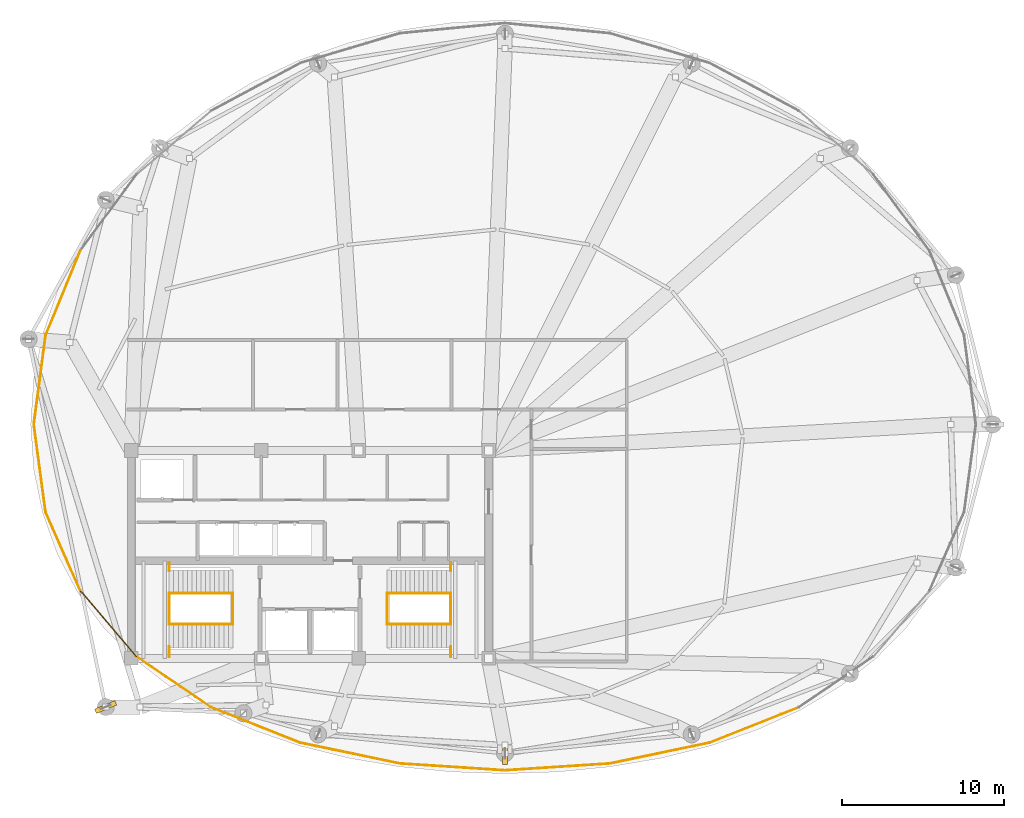
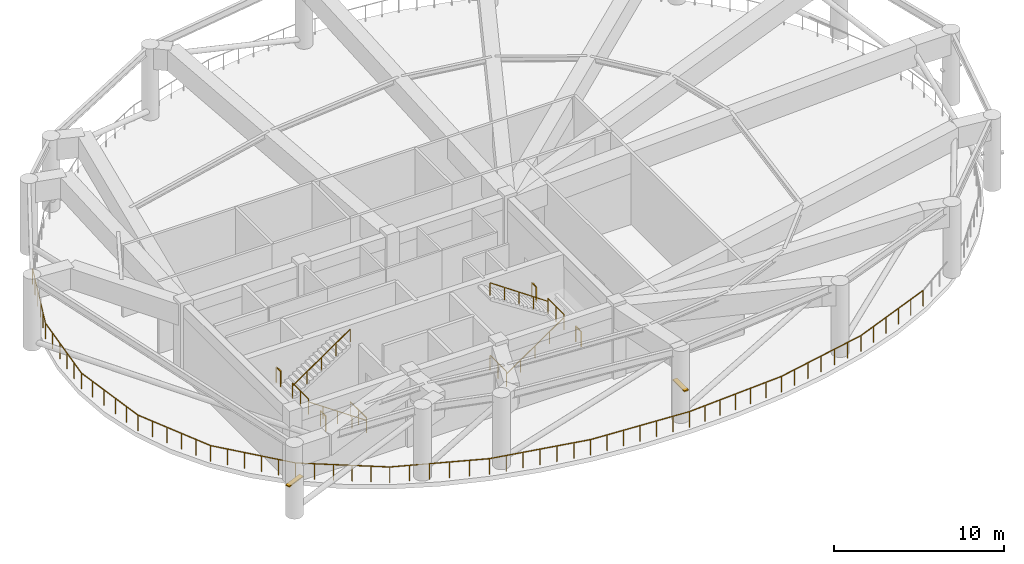
# One storey, part 8 of 9: 24 railings, 2 shading devices.
"""IFC4 building model written with IfcOpenShell, lengths in metres."""

from ifc_helpers import new_model, si_unit, direction, frame, origin, origin_2d, place, context, subcontext, project, spatial, rectangle, extrude, material, type_object, element, save


model = new_model("IFC4")

# Units and contexts
model_context = context("Model", 3, precision=1e-05, world=origin(), true_north=direction((0.0, 1.0)))
body_context = subcontext(model_context, "Body", "Model", "MODEL_VIEW")
ifc_project = project(units=[si_unit("LENGTHUNIT", "METRE"), si_unit("AREAUNIT", "SQUARE_METRE"), si_unit("VOLUMEUNIT", "CUBIC_METRE"), si_unit("PLANEANGLEUNIT", "RADIAN"), si_unit("MASSUNIT", "GRAM", prefix="KILO")], contexts=[model_context])

# Site, building, storey
site_placement = place(None, origin())
site = spatial("IfcSite", under=ifc_project, at=site_placement, CompositionType="ELEMENT")
building_placement = place(site_placement, origin())
building = spatial("IfcBuilding", under=site, at=building_placement, Name="Kazevale Care Tower and Concert Hall", CompositionType="ELEMENT")
storey_placement = place(building_placement, frame((0.0, 0.0, 253.199951171875)))
storey = spatial("IfcBuildingStorey", under=building, at=storey_placement, Name="L67", CompositionType="ELEMENT", Elevation=253.199951171875)

# Railings
ifc_material_1 = material(Name="Stainless Steel 316", Category="steel")
railing_type_1 = type_object("IfcRailingType", Name="Stair Pitch Handrail 920", PredefinedType="HANDRAIL", material=ifc_material_1)
railing_1_placement = place(storey_placement, frame((28.25, 25.699951171875, 0.0)))
element("IfcRailing", 1, at=railing_1_placement, inside=storey, type_object=railing_type_1, Name="stair:L67:ST1:hr1", PredefinedType="HANDRAIL", context=body_context, shape_type="SweptSolid", body=[
    extrude(rectangle(XDim=0.048095703125, YDim=0.048095703125, at=origin_2d()), frame((0.0, 0.0, 0.89599609375), z_axis=(-0.823550731654, 0.0, 0.567242622158), x_axis=(0.0, -1.0, 0.0)), (0.0, 0.0, 1.0), 4.759765625),
    extrude(rectangle(XDim=0.0419921875, YDim=0.0419921875, at=origin_2d()), origin(), (0.0, 0.0, 1.0), 0.871826171875),
    extrude(rectangle(XDim=0.0419921875, YDim=0.0419921875, at=origin_2d()), frame((-0.97998046875, 0.0, 0.675048828125)), (0.0, 0.0, 1.0), 0.871826171875),
    extrude(rectangle(XDim=0.0419921875, YDim=0.0419921875, at=origin_2d()), frame((-1.9599609375, 0.0, 1.35009765625)), (0.0, 0.0, 1.0), 0.871826171875),
    extrude(rectangle(XDim=0.0419921875, YDim=0.0419921875, at=origin_2d()), frame((-2.93994140625, 0.0, 2.02490234375)), (0.0, 0.0, 1.0), 0.871826171875),
    extrude(rectangle(XDim=0.0419921875, YDim=0.0419921875, at=origin_2d()), frame((-3.919921875, 0.0, 2.699951171875)), (0.0, 0.0, 1.0), 0.871826171875),
])
railing_2_placement = place(storey_placement, frame((24.330078125, 27.60009765625, 2.699951171875)))
element("IfcRailing", 2, at=railing_2_placement, inside=storey, type_object=railing_type_1, Name="stair:L67:ST1:hr2", PredefinedType="HANDRAIL", context=body_context, shape_type="SweptSolid", body=[
    extrude(rectangle(XDim=0.048095703125, YDim=0.048095703125, at=origin_2d()), frame((0.0, 0.0, 0.89599609375), z_axis=(0.823526770215, 0.0, 0.56727740898), x_axis=(0.0, 1.0, 0.0)), (0.0, 0.0, 1.0), 4.760009765625),
    extrude(rectangle(XDim=0.0419921875, YDim=0.0419921875, at=origin_2d()), origin(), (0.0, 0.0, 1.0), 0.871826171875),
    extrude(rectangle(XDim=0.0419921875, YDim=0.0419921875, at=origin_2d()), frame((0.97998046875, 0.0, 0.675048828125)), (0.0, 0.0, 1.0), 0.871826171875),
    extrude(rectangle(XDim=0.0419921875, YDim=0.0419921875, at=origin_2d()), frame((1.9599609375, 0.0, 1.35009765625)), (0.0, 0.0, 1.0), 0.871826171875),
    extrude(rectangle(XDim=0.0419921875, YDim=0.0419921875, at=origin_2d()), frame((2.93994140625, 0.0, 2.025146484375)), (0.0, 0.0, 1.0), 0.871826171875),
    extrude(rectangle(XDim=0.0419921875, YDim=0.0419921875, at=origin_2d()), frame((3.919921875, 0.0, 2.7001953125)), (0.0, 0.0, 1.0), 0.871826171875),
])
railing_3_placement = place(storey_placement, frame((37.75, 25.699951171875, 0.0)))
element("IfcRailing", 3, at=railing_3_placement, inside=storey, type_object=railing_type_1, Name="stair:L67:ST2:hr1", PredefinedType="HANDRAIL", context=body_context, shape_type="SweptSolid", body=[
    extrude(rectangle(XDim=0.048095703125, YDim=0.048095703125, at=origin_2d()), frame((0.0, 0.0, 0.89599609375), z_axis=(0.823550731654, 0.0, 0.567242622158), x_axis=(0.0, 1.0, 0.0)), (0.0, 0.0, 1.0), 4.759765625),
    extrude(rectangle(XDim=0.0419921875, YDim=0.0419921875, at=origin_2d()), origin(), (0.0, 0.0, 1.0), 0.871826171875),
    extrude(rectangle(XDim=0.0419921875, YDim=0.0419921875, at=origin_2d()), frame((0.97998046875, 0.0, 0.675048828125)), (0.0, 0.0, 1.0), 0.871826171875),
    extrude(rectangle(XDim=0.0419921875, YDim=0.0419921875, at=origin_2d()), frame((1.9599609375, 0.0, 1.35009765625)), (0.0, 0.0, 1.0), 0.871826171875),
    extrude(rectangle(XDim=0.0419921875, YDim=0.0419921875, at=origin_2d()), frame((2.93994140625, 0.0, 2.02490234375)), (0.0, 0.0, 1.0), 0.871826171875),
    extrude(rectangle(XDim=0.0419921875, YDim=0.0419921875, at=origin_2d()), frame((3.919921875, 0.0, 2.699951171875)), (0.0, 0.0, 1.0), 0.871826171875),
])
railing_4_placement = place(storey_placement, frame((41.669921875, 27.60009765625, 2.699951171875)))
element("IfcRailing", 4, at=railing_4_placement, inside=storey, type_object=railing_type_1, Name="stair:L67:ST2:hr2", PredefinedType="HANDRAIL", context=body_context, shape_type="SweptSolid", body=[
    extrude(rectangle(XDim=0.048095703125, YDim=0.048095703125, at=origin_2d()), frame((0.0, 0.0, 0.89599609375), z_axis=(-0.823526770215, 0.0, 0.56727740898), x_axis=(0.0, -1.0, 0.0)), (0.0, 0.0, 1.0), 4.760009765625),
    extrude(rectangle(XDim=0.0419921875, YDim=0.0419921875, at=origin_2d()), origin(), (0.0, 0.0, 1.0), 0.871826171875),
    extrude(rectangle(XDim=0.0419921875, YDim=0.0419921875, at=origin_2d()), frame((-0.97998046875, 0.0, 0.675048828125)), (0.0, 0.0, 1.0), 0.871826171875),
    extrude(rectangle(XDim=0.0419921875, YDim=0.0419921875, at=origin_2d()), frame((-1.9599609375, 0.0, 1.35009765625)), (0.0, 0.0, 1.0), 0.871826171875),
    extrude(rectangle(XDim=0.0419921875, YDim=0.0419921875, at=origin_2d()), frame((-2.93994140625, 0.0, 2.025146484375)), (0.0, 0.0, 1.0), 0.871826171875),
    extrude(rectangle(XDim=0.0419921875, YDim=0.0419921875, at=origin_2d()), frame((-3.919921875, 0.0, 2.7001953125)), (0.0, 0.0, 1.0), 0.871826171875),
])
railing_type_2 = type_object("IfcRailingType", Name="Stair Well Guard Balustrade 1120", PredefinedType="BALUSTRADE", material=ifc_material_1)
railing_5_placement = place(storey_placement, frame((24.330078125, 23.699951171875, 2.699951171875)))
element("IfcRailing", 5, at=railing_5_placement, inside=storey, type_object=railing_type_2, Name="stair:L67:ST1:grd_side1", PredefinedType="BALUSTRADE", context=body_context, shape_type="SweptSolid", body=[
    extrude(rectangle(XDim=0.048095703125, YDim=0.048095703125, at=origin_2d()), frame((0.0, 0.0, 1.09619140625), z_axis=(0.0, 1.0, 0.0), x_axis=(-1.0, 0.0, 0.0)), (0.0, 0.0, 1.0), 0.610107421875),
    extrude(rectangle(XDim=0.0419921875, YDim=0.0419921875, at=origin_2d()), origin(), (0.0, 0.0, 1.0), 1.072021484375),
    extrude(rectangle(XDim=0.0419921875, YDim=0.0419921875, at=origin_2d()), frame((0.0, 0.610107421875, 0.0)), (0.0, 0.0, 1.0), 1.072021484375),
])
railing_6_placement = place(storey_placement, frame((24.330078125, 28.989990234375, 2.699951171875)))
element("IfcRailing", 6, at=railing_6_placement, inside=storey, type_object=railing_type_2, Name="stair:L67:ST1:grd_side2", PredefinedType="BALUSTRADE", context=body_context, shape_type="SweptSolid", body=[
    extrude(rectangle(XDim=0.048095703125, YDim=0.048095703125, at=origin_2d()), frame((0.0, 0.0, 1.09619140625), z_axis=(0.0, 1.0, 0.0), x_axis=(-1.0, 0.0, 0.0)), (0.0, 0.0, 1.0), 0.510009765625),
    extrude(rectangle(XDim=0.0419921875, YDim=0.0419921875, at=origin_2d()), origin(), (0.0, 0.0, 1.0), 1.072021484375),
    extrude(rectangle(XDim=0.0419921875, YDim=0.0419921875, at=origin_2d()), frame((0.0, 0.510009765625, 0.0)), (0.0, 0.0, 1.0), 1.072021484375),
])
for number, where, name in (
    (7, (24.330078125, 25.699951171875, 2.699951171875), "stair:L67:ST1:grd_mid"),
    (8, (28.25, 25.699951171875, 0.0), "stair:L67:ST1:grd_flr"),
):
    element("IfcRailing", number, at=place(storey_placement, frame(where)), inside=storey, type_object=railing_type_2, Name=name, PredefinedType="BALUSTRADE", context=body_context, shape_type="SweptSolid", body=[
        extrude(rectangle(XDim=0.048095703125, YDim=0.048095703125, at=origin_2d()), frame((0.0, 0.0, 1.09619140625), z_axis=(0.0, 1.0, 0.0), x_axis=(-1.0, 0.0, 0.0)), (0.0, 0.0, 1.0), 1.900146484375),
        extrude(rectangle(XDim=0.0419921875, YDim=0.0419921875, at=origin_2d()), origin(), (0.0, 0.0, 1.0), 1.072021484375),
        extrude(rectangle(XDim=0.0419921875, YDim=0.0419921875, at=origin_2d()), frame((0.0, 0.9501953125, 0.0)), (0.0, 0.0, 1.0), 1.072021484375),
        extrude(rectangle(XDim=0.0419921875, YDim=0.0419921875, at=origin_2d()), frame((0.0, 1.900146484375, 0.0)), (0.0, 0.0, 1.0), 1.072021484375),
    ])
railing_7_placement = place(storey_placement, frame((41.669921875, 23.699951171875, 2.699951171875)))
element("IfcRailing", 9, at=railing_7_placement, inside=storey, type_object=railing_type_2, Name="stair:L67:ST2:grd_side1", PredefinedType="BALUSTRADE", context=body_context, shape_type="SweptSolid", body=[
    extrude(rectangle(XDim=0.048095703125, YDim=0.048095703125, at=origin_2d()), frame((0.0, 0.0, 1.09619140625), z_axis=(0.0, 1.0, 0.0), x_axis=(-1.0, 0.0, 0.0)), (0.0, 0.0, 1.0), 0.610107421875),
    extrude(rectangle(XDim=0.0419921875, YDim=0.0419921875, at=origin_2d()), origin(), (0.0, 0.0, 1.0), 1.072021484375),
    extrude(rectangle(XDim=0.0419921875, YDim=0.0419921875, at=origin_2d()), frame((0.0, 0.610107421875, 0.0)), (0.0, 0.0, 1.0), 1.072021484375),
])
railing_8_placement = place(storey_placement, frame((41.669921875, 28.989990234375, 2.699951171875)))
element("IfcRailing", 10, at=railing_8_placement, inside=storey, type_object=railing_type_2, Name="stair:L67:ST2:grd_side2", PredefinedType="BALUSTRADE", context=body_context, shape_type="SweptSolid", body=[
    extrude(rectangle(XDim=0.048095703125, YDim=0.048095703125, at=origin_2d()), frame((0.0, 0.0, 1.09619140625), z_axis=(0.0, 1.0, 0.0), x_axis=(-1.0, 0.0, 0.0)), (0.0, 0.0, 1.0), 0.510009765625),
    extrude(rectangle(XDim=0.0419921875, YDim=0.0419921875, at=origin_2d()), origin(), (0.0, 0.0, 1.0), 1.072021484375),
    extrude(rectangle(XDim=0.0419921875, YDim=0.0419921875, at=origin_2d()), frame((0.0, 0.510009765625, 0.0)), (0.0, 0.0, 1.0), 1.072021484375),
])
for number, where, name in (
    (11, (41.669921875, 25.699951171875, 2.699951171875), "stair:L67:ST2:grd_mid"),
    (12, (37.75, 25.699951171875, 0.0), "stair:L67:ST2:grd_flr"),
):
    element("IfcRailing", number, at=place(storey_placement, frame(where)), inside=storey, type_object=railing_type_2, Name=name, PredefinedType="BALUSTRADE", context=body_context, shape_type="SweptSolid", body=[
        extrude(rectangle(XDim=0.048095703125, YDim=0.048095703125, at=origin_2d()), frame((0.0, 0.0, 1.09619140625), z_axis=(0.0, 1.0, 0.0), x_axis=(-1.0, 0.0, 0.0)), (0.0, 0.0, 1.0), 1.900146484375),
        extrude(rectangle(XDim=0.0419921875, YDim=0.0419921875, at=origin_2d()), origin(), (0.0, 0.0, 1.0), 1.072021484375),
        extrude(rectangle(XDim=0.0419921875, YDim=0.0419921875, at=origin_2d()), frame((0.0, 0.9501953125, 0.0)), (0.0, 0.0, 1.0), 1.072021484375),
        extrude(rectangle(XDim=0.0419921875, YDim=0.0419921875, at=origin_2d()), frame((0.0, 1.900146484375, 0.0)), (0.0, 0.0, 1.0), 1.072021484375),
    ])
railing_type_3 = type_object("IfcRailingType", Name="Wind-Floor & Portal Guardrail 1150", PredefinedType="BALUSTRADE", material=ifc_material_1)
railing_9_placement = place(storey_placement, frame((63.113037109375, 20.593017578125, 0.0)))
element("IfcRailing", 13, at=railing_9_placement, inside=storey, type_object=railing_type_3, Name="rail:L67:wind_perim:05", PredefinedType="BALUSTRADE", context=body_context, shape_type="SweptSolid", body=[
    extrude(rectangle(XDim=0.048095703125, YDim=0.048095703125, at=origin_2d()), frame((0.0, 0.0, 1.1259765625), z_axis=(-0.929174791218, -0.369640646258, 0.0), x_axis=(0.369640646258, -0.929174791218, 0.0)), (0.0, 0.0, 1.0), 5.919189453125),
    extrude(rectangle(XDim=0.0419921875, YDim=0.0419921875, at=origin_2d()), origin(), (0.0, 0.0, 1.0), 1.101806640625),
    extrude(rectangle(XDim=0.0419921875, YDim=0.0419921875, at=origin_2d()), frame((-1.10009765625, -0.4375, 0.0)), (0.0, 0.0, 1.0), 1.101806640625),
    extrude(rectangle(XDim=0.0419921875, YDim=0.0419921875, at=origin_2d()), frame((-2.199951171875, -0.875244140625, 0.0)), (0.0, 0.0, 1.0), 1.101806640625),
    extrude(rectangle(XDim=0.0419921875, YDim=0.0419921875, at=origin_2d()), frame((-3.300048828125, -1.312744140625, 0.0)), (0.0, 0.0, 1.0), 1.101806640625),
    extrude(rectangle(XDim=0.0419921875, YDim=0.0419921875, at=origin_2d()), frame((-4.39990234375, -1.75048828125, 0.0)), (0.0, 0.0, 1.0), 1.101806640625),
    extrude(rectangle(XDim=0.0419921875, YDim=0.0419921875, at=origin_2d()), frame((-5.5, -2.18798828125, 0.0)), (0.0, 0.0, 1.0), 1.101806640625),
])
railing_10_placement = place(storey_placement, frame((57.613037109375, 18.405029296875, 0.0)))
element("IfcRailing", 14, at=railing_10_placement, inside=storey, type_object=railing_type_3, Name="rail:L67:wind_perim:06", PredefinedType="BALUSTRADE", context=body_context, shape_type="SweptSolid", body=[
    extrude(rectangle(XDim=0.048095703125, YDim=0.048095703125, at=origin_2d()), frame((0.0, 0.0, 1.1259765625), z_axis=(-0.978873463656, -0.204466970805, 0.0), x_axis=(0.204466970805, -0.978873463656, 0.0)), (0.0, 0.0, 1.0), 6.274658203125),
    extrude(rectangle(XDim=0.0419921875, YDim=0.0419921875, at=origin_2d()), origin(), (0.0, 0.0, 1.0), 1.101806640625),
    extrude(rectangle(XDim=0.0419921875, YDim=0.0419921875, at=origin_2d()), frame((-1.023681640625, -0.2138671875, 0.0)), (0.0, 0.0, 1.0), 1.101806640625),
    extrude(rectangle(XDim=0.0419921875, YDim=0.0419921875, at=origin_2d()), frame((-2.04736328125, -0.427734375, 0.0)), (0.0, 0.0, 1.0), 1.101806640625),
    extrude(rectangle(XDim=0.0419921875, YDim=0.0419921875, at=origin_2d()), frame((-3.071044921875, -0.6416015625, 0.0)), (0.0, 0.0, 1.0), 1.101806640625),
    extrude(rectangle(XDim=0.0419921875, YDim=0.0419921875, at=origin_2d()), frame((-4.0947265625, -0.855224609375, 0.0)), (0.0, 0.0, 1.0), 1.101806640625),
    extrude(rectangle(XDim=0.0419921875, YDim=0.0419921875, at=origin_2d()), frame((-5.118408203125, -1.069091796875, 0.0)), (0.0, 0.0, 1.0), 1.101806640625),
    extrude(rectangle(XDim=0.0419921875, YDim=0.0419921875, at=origin_2d()), frame((-6.14208984375, -1.282958984375, 0.0)), (0.0, 0.0, 1.0), 1.101806640625),
])
railing_11_placement = place(storey_placement, frame((51.470947265625, 17.1220703125, 0.0)))
element("IfcRailing", 15, at=railing_11_placement, inside=storey, type_object=railing_type_3, Name="rail:L67:wind_perim:07", PredefinedType="BALUSTRADE", context=body_context, shape_type="SweptSolid", body=[
    extrude(rectangle(XDim=0.048095703125, YDim=0.048095703125, at=origin_2d()), frame((0.0, 0.0, 1.1259765625), z_axis=(-0.997879095974, -0.065094622031, 0.0), x_axis=(0.065094622031, -0.997879095974, 0.0)), (0.0, 0.0, 1.0), 6.484619140625),
    extrude(rectangle(XDim=0.0419921875, YDim=0.0419921875, at=origin_2d()), origin(), (0.0, 0.0, 1.0), 1.101806640625),
    extrude(rectangle(XDim=0.0419921875, YDim=0.0419921875, at=origin_2d()), frame((-1.07861328125, -0.0703125, 0.0)), (0.0, 0.0, 1.0), 1.101806640625),
    extrude(rectangle(XDim=0.0419921875, YDim=0.0419921875, at=origin_2d()), frame((-2.156982421875, -0.140625, 0.0)), (0.0, 0.0, 1.0), 1.101806640625),
    extrude(rectangle(XDim=0.0419921875, YDim=0.0419921875, at=origin_2d()), frame((-3.2353515625, -0.2109375, 0.0)), (0.0, 0.0, 1.0), 1.101806640625),
    extrude(rectangle(XDim=0.0419921875, YDim=0.0419921875, at=origin_2d()), frame((-4.31396484375, -0.281494140625, 0.0)), (0.0, 0.0, 1.0), 1.101806640625),
    extrude(rectangle(XDim=0.0419921875, YDim=0.0419921875, at=origin_2d()), frame((-5.392578125, -0.351806640625, 0.0)), (0.0, 0.0, 1.0), 1.101806640625),
    extrude(rectangle(XDim=0.0419921875, YDim=0.0419921875, at=origin_2d()), frame((-6.470947265625, -0.422119140625, 0.0)), (0.0, 0.0, 1.0), 1.101806640625),
])
railing_12_placement = place(storey_placement, frame((45.0, 16.699951171875, 0.0)))
element("IfcRailing", 16, at=railing_12_placement, inside=storey, type_object=railing_type_3, Name="rail:L67:wind_perim:08", PredefinedType="BALUSTRADE", context=body_context, shape_type="SweptSolid", body=[
    extrude(rectangle(XDim=0.048095703125, YDim=0.048095703125, at=origin_2d()), frame((0.0, 0.0, 1.1259765625), z_axis=(-0.997879095974, 0.065094622031, 0.0), x_axis=(-0.065094622031, -0.997879095974, 0.0)), (0.0, 0.0, 1.0), 6.484619140625),
    extrude(rectangle(XDim=0.0419921875, YDim=0.0419921875, at=origin_2d()), origin(), (0.0, 0.0, 1.0), 1.101806640625),
    extrude(rectangle(XDim=0.0419921875, YDim=0.0419921875, at=origin_2d()), frame((-1.07861328125, 0.0703125, 0.0)), (0.0, 0.0, 1.0), 1.101806640625),
    extrude(rectangle(XDim=0.0419921875, YDim=0.0419921875, at=origin_2d()), frame((-2.156982421875, 0.140625, 0.0)), (0.0, 0.0, 1.0), 1.101806640625),
    extrude(rectangle(XDim=0.0419921875, YDim=0.0419921875, at=origin_2d()), frame((-3.2353515625, 0.2109375, 0.0)), (0.0, 0.0, 1.0), 1.101806640625),
    extrude(rectangle(XDim=0.0419921875, YDim=0.0419921875, at=origin_2d()), frame((-4.31396484375, 0.281494140625, 0.0)), (0.0, 0.0, 1.0), 1.101806640625),
    extrude(rectangle(XDim=0.0419921875, YDim=0.0419921875, at=origin_2d()), frame((-5.392578125, 0.351806640625, 0.0)), (0.0, 0.0, 1.0), 1.101806640625),
    extrude(rectangle(XDim=0.0419921875, YDim=0.0419921875, at=origin_2d()), frame((-6.470947265625, 0.422119140625, 0.0)), (0.0, 0.0, 1.0), 1.101806640625),
])
railing_13_placement = place(storey_placement, frame((38.529052734375, 17.1220703125, 0.0)))
element("IfcRailing", 17, at=railing_13_placement, inside=storey, type_object=railing_type_3, Name="rail:L67:wind_perim:09", PredefinedType="BALUSTRADE", context=body_context, shape_type="SweptSolid", body=[
    extrude(rectangle(XDim=0.048095703125, YDim=0.048095703125, at=origin_2d()), frame((0.0, 0.0, 1.1259765625), z_axis=(-0.978873463656, 0.204466970805, 0.0), x_axis=(-0.204466970805, -0.978873463656, 0.0)), (0.0, 0.0, 1.0), 6.274658203125),
    extrude(rectangle(XDim=0.0419921875, YDim=0.0419921875, at=origin_2d()), origin(), (0.0, 0.0, 1.0), 1.101806640625),
    extrude(rectangle(XDim=0.0419921875, YDim=0.0419921875, at=origin_2d()), frame((-1.023681640625, 0.2138671875, 0.0)), (0.0, 0.0, 1.0), 1.101806640625),
    extrude(rectangle(XDim=0.0419921875, YDim=0.0419921875, at=origin_2d()), frame((-2.04736328125, 0.427734375, 0.0)), (0.0, 0.0, 1.0), 1.101806640625),
    extrude(rectangle(XDim=0.0419921875, YDim=0.0419921875, at=origin_2d()), frame((-3.071044921875, 0.6416015625, 0.0)), (0.0, 0.0, 1.0), 1.101806640625),
    extrude(rectangle(XDim=0.0419921875, YDim=0.0419921875, at=origin_2d()), frame((-4.0947265625, 0.855224609375, 0.0)), (0.0, 0.0, 1.0), 1.101806640625),
    extrude(rectangle(XDim=0.0419921875, YDim=0.0419921875, at=origin_2d()), frame((-5.118408203125, 1.069091796875, 0.0)), (0.0, 0.0, 1.0), 1.101806640625),
    extrude(rectangle(XDim=0.0419921875, YDim=0.0419921875, at=origin_2d()), frame((-6.14208984375, 1.282958984375, 0.0)), (0.0, 0.0, 1.0), 1.101806640625),
])
railing_14_placement = place(storey_placement, frame((32.386962890625, 18.405029296875, 0.0)))
element("IfcRailing", 18, at=railing_14_placement, inside=storey, type_object=railing_type_3, Name="rail:L67:wind_perim:10", PredefinedType="BALUSTRADE", context=body_context, shape_type="SweptSolid", body=[
    extrude(rectangle(XDim=0.048095703125, YDim=0.048095703125, at=origin_2d()), frame((0.0, 0.0, 1.1259765625), z_axis=(-0.929174791218, 0.369640646258, 0.0), x_axis=(-0.369640646258, -0.929174791218, 0.0)), (0.0, 0.0, 1.0), 5.919189453125),
    extrude(rectangle(XDim=0.0419921875, YDim=0.0419921875, at=origin_2d()), origin(), (0.0, 0.0, 1.0), 1.101806640625),
    extrude(rectangle(XDim=0.0419921875, YDim=0.0419921875, at=origin_2d()), frame((-1.10009765625, 0.4375, 0.0)), (0.0, 0.0, 1.0), 1.101806640625),
    extrude(rectangle(XDim=0.0419921875, YDim=0.0419921875, at=origin_2d()), frame((-2.199951171875, 0.875244140625, 0.0)), (0.0, 0.0, 1.0), 1.101806640625),
    extrude(rectangle(XDim=0.0419921875, YDim=0.0419921875, at=origin_2d()), frame((-3.300048828125, 1.312744140625, 0.0)), (0.0, 0.0, 1.0), 1.101806640625),
    extrude(rectangle(XDim=0.0419921875, YDim=0.0419921875, at=origin_2d()), frame((-4.39990234375, 1.75048828125, 0.0)), (0.0, 0.0, 1.0), 1.101806640625),
    extrude(rectangle(XDim=0.0419921875, YDim=0.0419921875, at=origin_2d()), frame((-5.5, 2.18798828125, 0.0)), (0.0, 0.0, 1.0), 1.101806640625),
])
railing_15_placement = place(storey_placement, frame((26.886962890625, 20.593017578125, 0.0)))
element("IfcRailing", 19, at=railing_15_placement, inside=storey, type_object=railing_type_3, Name="rail:L67:wind_perim:11", PredefinedType="BALUSTRADE", context=body_context, shape_type="SweptSolid", body=[
    extrude(rectangle(XDim=0.048095703125, YDim=0.048095703125, at=origin_2d()), frame((0.0, 0.0, 1.1259765625), z_axis=(-0.826126774353, 0.563484296762, 0.0), x_axis=(-0.563484296762, -0.826126774353, 0.0)), (0.0, 0.0, 1.0), 5.547607421875),
    extrude(rectangle(XDim=0.0419921875, YDim=0.0419921875, at=origin_2d()), origin(), (0.0, 0.0, 1.0), 1.101806640625),
    extrude(rectangle(XDim=0.0419921875, YDim=0.0419921875, at=origin_2d()), frame((-0.91650390625, 0.625244140625, 0.0)), (0.0, 0.0, 1.0), 1.101806640625),
    extrude(rectangle(XDim=0.0419921875, YDim=0.0419921875, at=origin_2d()), frame((-1.833251953125, 1.25048828125, 0.0)), (0.0, 0.0, 1.0), 1.101806640625),
    extrude(rectangle(XDim=0.0419921875, YDim=0.0419921875, at=origin_2d()), frame((-2.749755859375, 1.87548828125, 0.0)), (0.0, 0.0, 1.0), 1.101806640625),
    extrude(rectangle(XDim=0.0419921875, YDim=0.0419921875, at=origin_2d()), frame((-3.66650390625, 2.500732421875, 0.0)), (0.0, 0.0, 1.0), 1.101806640625),
    extrude(rectangle(XDim=0.0419921875, YDim=0.0419921875, at=origin_2d()), frame((-4.5830078125, 3.1259765625, 0.0)), (0.0, 0.0, 1.0), 1.101806640625),
])
railing_16_placement = place(storey_placement, frame((22.303955078125, 23.718994140625, 0.0)))
element("IfcRailing", 20, at=railing_16_placement, inside=storey, type_object=railing_type_3, Name="rail:L67:wind_perim:12", PredefinedType="BALUSTRADE", context=body_context, shape_type="SweptSolid", body=[
    extrude(rectangle(XDim=0.048095703125, YDim=0.048095703125, at=origin_2d()), frame((0.0, 0.0, 1.1259765625), z_axis=(-0.64843290081, 0.761271812921, 0.0), x_axis=(-0.761271812921, -0.64843290081, 0.0)), (0.0, 0.0, 1.0), 5.3095703125),
    extrude(rectangle(XDim=0.0419921875, YDim=0.0419921875, at=origin_2d()), origin(), (0.0, 0.0, 1.0), 1.101806640625),
    extrude(rectangle(XDim=0.0419921875, YDim=0.0419921875, at=origin_2d()), frame((-0.6884765625, 0.808349609375, 0.0)), (0.0, 0.0, 1.0), 1.101806640625),
    extrude(rectangle(XDim=0.0419921875, YDim=0.0419921875, at=origin_2d()), frame((-1.377197265625, 1.61669921875, 0.0)), (0.0, 0.0, 1.0), 1.101806640625),
    extrude(rectangle(XDim=0.0419921875, YDim=0.0419921875, at=origin_2d()), frame((-2.065673828125, 2.42529296875, 0.0)), (0.0, 0.0, 1.0), 1.101806640625),
    extrude(rectangle(XDim=0.0419921875, YDim=0.0419921875, at=origin_2d()), frame((-2.75439453125, 3.233642578125, 0.0)), (0.0, 0.0, 1.0), 1.101806640625),
    extrude(rectangle(XDim=0.0419921875, YDim=0.0419921875, at=origin_2d()), frame((-3.44287109375, 4.0419921875, 0.0)), (0.0, 0.0, 1.0), 1.101806640625),
])
railing_17_placement = place(storey_placement, frame((18.861083984375, 27.760986328125, 0.0)))
element("IfcRailing", 21, at=railing_17_placement, inside=storey, type_object=railing_type_3, Name="rail:L67:wind_perim:13", PredefinedType="BALUSTRADE", context=body_context, shape_type="SweptSolid", body=[
    extrude(rectangle(XDim=0.048095703125, YDim=0.048095703125, at=origin_2d()), frame((0.0, 0.0, 1.1259765625), z_axis=(-0.403471028859, 0.914992420117, 0.0), x_axis=(-0.914992420117, -0.403471028859, 0.0)), (0.0, 0.0, 1.0), 5.2939453125),
    extrude(rectangle(XDim=0.0419921875, YDim=0.0419921875, at=origin_2d()), origin(), (0.0, 0.0, 1.0), 1.101806640625),
    extrude(rectangle(XDim=0.0419921875, YDim=0.0419921875, at=origin_2d()), frame((-0.42724609375, 0.96875, 0.0)), (0.0, 0.0, 1.0), 1.101806640625),
    extrude(rectangle(XDim=0.0419921875, YDim=0.0419921875, at=origin_2d()), frame((-0.8544921875, 1.9375, 0.0)), (0.0, 0.0, 1.0), 1.101806640625),
    extrude(rectangle(XDim=0.0419921875, YDim=0.0419921875, at=origin_2d()), frame((-1.281494140625, 2.906494140625, 0.0)), (0.0, 0.0, 1.0), 1.101806640625),
    extrude(rectangle(XDim=0.0419921875, YDim=0.0419921875, at=origin_2d()), frame((-1.708740234375, 3.875244140625, 0.0)), (0.0, 0.0, 1.0), 1.101806640625),
    extrude(rectangle(XDim=0.0419921875, YDim=0.0419921875, at=origin_2d()), frame((-2.135986328125, 4.843994140625, 0.0)), (0.0, 0.0, 1.0), 1.101806640625),
])
railing_18_placement = place(storey_placement, frame((16.72509765625, 32.60498046875, 0.0)))
element("IfcRailing", 22, at=railing_18_placement, inside=storey, type_object=railing_type_3, Name="rail:L67:wind_perim:14", PredefinedType="BALUSTRADE", context=body_context, shape_type="SweptSolid", body=[
    extrude(rectangle(XDim=0.048095703125, YDim=0.048095703125, at=origin_2d()), frame((0.0, 0.0, 1.1259765625), z_axis=(-0.133203612034, 0.991088693176, 0.0), x_axis=(-0.991088693176, -0.133203612034, 0.0)), (0.0, 0.0, 1.0), 5.443603515625),
    extrude(rectangle(XDim=0.0419921875, YDim=0.0419921875, at=origin_2d()), origin(), (0.0, 0.0, 1.0), 1.101806640625),
    extrude(rectangle(XDim=0.0419921875, YDim=0.0419921875, at=origin_2d()), frame((-0.14501953125, 1.0791015625, 0.0)), (0.0, 0.0, 1.0), 1.101806640625),
    extrude(rectangle(XDim=0.0419921875, YDim=0.0419921875, at=origin_2d()), frame((-0.2900390625, 2.157958984375, 0.0)), (0.0, 0.0, 1.0), 1.101806640625),
    extrude(rectangle(XDim=0.0419921875, YDim=0.0419921875, at=origin_2d()), frame((-0.43505859375, 3.237060546875, 0.0)), (0.0, 0.0, 1.0), 1.101806640625),
    extrude(rectangle(XDim=0.0419921875, YDim=0.0419921875, at=origin_2d()), frame((-0.580078125, 4.31591796875, 0.0)), (0.0, 0.0, 1.0), 1.101806640625),
    extrude(rectangle(XDim=0.0419921875, YDim=0.0419921875, at=origin_2d()), frame((-0.72509765625, 5.39501953125, 0.0)), (0.0, 0.0, 1.0), 1.101806640625),
])
railing_19_placement = place(storey_placement, frame((16.0, 38.0, 0.0)))
element("IfcRailing", 23, at=railing_19_placement, inside=storey, type_object=railing_type_3, Name="rail:L67:wind_perim:15", PredefinedType="BALUSTRADE", context=body_context, shape_type="SweptSolid", body=[
    extrude(rectangle(XDim=0.048095703125, YDim=0.048095703125, at=origin_2d()), frame((0.0, 0.0, 1.1259765625), z_axis=(0.131135431793, 0.991364463015, 0.0), x_axis=(-0.991364463015, 0.131135431793, 0.0)), (0.0, 0.0, 1.0), 5.536865234375),
    extrude(rectangle(XDim=0.0419921875, YDim=0.0419921875, at=origin_2d()), origin(), (0.0, 0.0, 1.0), 1.101806640625),
    extrude(rectangle(XDim=0.0419921875, YDim=0.0419921875, at=origin_2d()), frame((0.145263671875, 1.097900390625, 0.0)), (0.0, 0.0, 1.0), 1.101806640625),
    extrude(rectangle(XDim=0.0419921875, YDim=0.0419921875, at=origin_2d()), frame((0.29052734375, 2.195556640625, 0.0)), (0.0, 0.0, 1.0), 1.101806640625),
    extrude(rectangle(XDim=0.0419921875, YDim=0.0419921875, at=origin_2d()), frame((0.435546875, 3.29345703125, 0.0)), (0.0, 0.0, 1.0), 1.101806640625),
    extrude(rectangle(XDim=0.0419921875, YDim=0.0419921875, at=origin_2d()), frame((0.580810546875, 4.39111328125, 0.0)), (0.0, 0.0, 1.0), 1.101806640625),
    extrude(rectangle(XDim=0.0419921875, YDim=0.0419921875, at=origin_2d()), frame((0.72607421875, 5.489013671875, 0.0)), (0.0, 0.0, 1.0), 1.101806640625),
])
railing_20_placement = place(storey_placement, frame((16.72607421875, 43.489013671875, 0.0)))
element("IfcRailing", 24, at=railing_20_placement, inside=storey, type_object=railing_type_3, Name="rail:L67:wind_perim:16", PredefinedType="BALUSTRADE", context=body_context, shape_type="SweptSolid", body=[
    extrude(rectangle(XDim=0.048095703125, YDim=0.048095703125, at=origin_2d()), frame((0.0, 0.0, 1.1259765625), z_axis=(0.379551604364, 0.925170567855, 0.0), x_axis=(-0.925170567855, 0.379551604364, 0.0)), (0.0, 0.0, 1.0), 5.637939453125),
    extrude(rectangle(XDim=0.0419921875, YDim=0.0419921875, at=origin_2d()), origin(), (0.0, 0.0, 1.0), 1.101806640625),
    extrude(rectangle(XDim=0.0419921875, YDim=0.0419921875, at=origin_2d()), frame((0.427978515625, 1.043212890625, 0.0)), (0.0, 0.0, 1.0), 1.101806640625),
    extrude(rectangle(XDim=0.0419921875, YDim=0.0419921875, at=origin_2d()), frame((0.85595703125, 2.08642578125, 0.0)), (0.0, 0.0, 1.0), 1.101806640625),
    extrude(rectangle(XDim=0.0419921875, YDim=0.0419921875, at=origin_2d()), frame((1.283935546875, 3.129638671875, 0.0)), (0.0, 0.0, 1.0), 1.101806640625),
    extrude(rectangle(XDim=0.0419921875, YDim=0.0419921875, at=origin_2d()), frame((1.7119140625, 4.1728515625, 0.0)), (0.0, 0.0, 1.0), 1.101806640625),
    extrude(rectangle(XDim=0.0419921875, YDim=0.0419921875, at=origin_2d()), frame((2.139892578125, 5.216064453125, 0.0)), (0.0, 0.0, 1.0), 1.101806640625),
])

# Shading devices
ifc_material_2 = material(Name="Aluminium 6063-T6", Category="aluminium")
shading_device_type = type_object("IfcShadingDeviceType", Name="Wind-Floor Acoustic Storm Louvre Blade LVR-01", PredefinedType="USERDEFINED", material=ifc_material_2)
for number, where, z_axis, x_axis, name in (
    (25, (20.419921875, 20.60009765625, 2.360107421875), (0.0, 0.0, 1.0), (-0.923879532511, -0.382683432365, 0.0), "louvre:L67:10"),
    (26, (45.0, 17.75, 2.360107421875), (0.0, 0.0, 1.0), (0.0, -1.0, 0.0), "louvre:L67:13"),
):
    element("IfcShadingDevice", number, at=place(storey_placement, frame(where, z_axis=z_axis, x_axis=x_axis)), inside=storey, type_object=shading_device_type, Name=name, ObjectType="LOUVRE", PredefinedType="USERDEFINED", context=body_context, shape_type="SweptSolid", body=[
        extrude(rectangle(XDim=1.35009765625, YDim=0.300048828125, at=origin_2d()), origin(), (0.0, 0.0, 1.0), 0.080078125),
    ])

save(model, "model.ifc")
